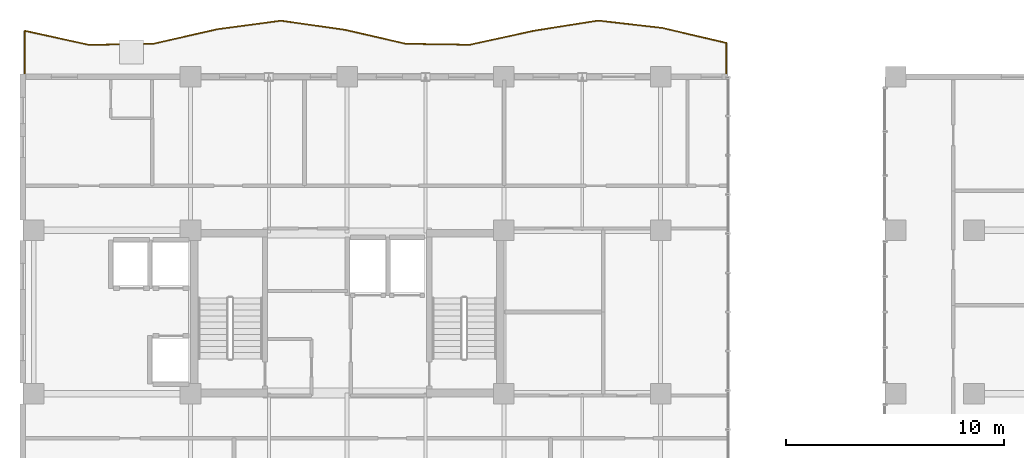
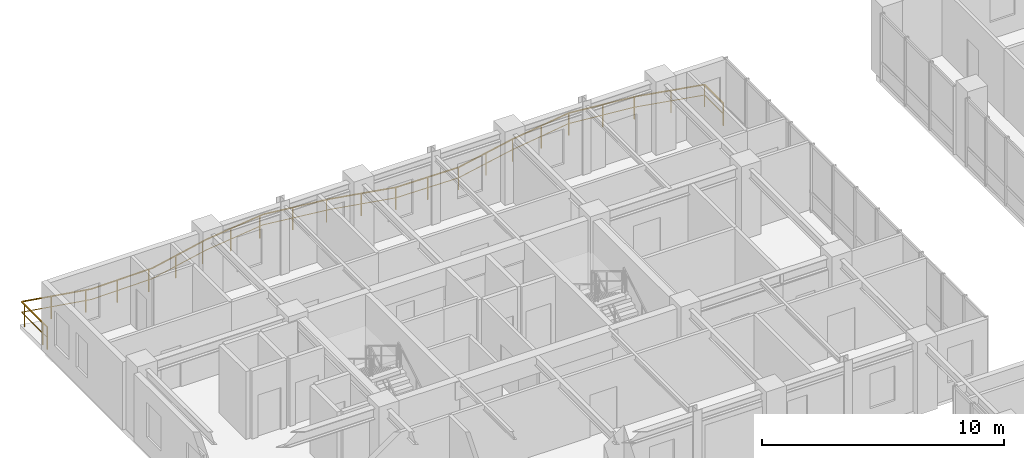
# One storey, part 24 of 24: 1 railing.
"""IFC4 building model written with IfcOpenShell, lengths in metres."""

import ifcopenshell
import ifcopenshell.guid

model = None  # the IFC model being written
_history = None  # IfcOwnerHistory: only IFC2X3 demands one
_inside = {}  # id of a spatial element -> (the spatial element, [elements in it])
_under = {}  # id of a project, library or spatial element -> (it, [spatial elements below it])
_declared = {}  # id of a project -> (the project, [libraries it declares])
_typed = {}  # id of a type object -> (the type object, [elements of that type])
_made_of = {}  # id of a material, layer set ... -> (it, [elements and type objects made of it])


def new_model(schema):
    """Start an empty IFC model of exactly this schema.

    Asked for "IFC4X3", IfcOpenShell would pick the latest addendum, in which some entities
    have other attributes; the version numbers below select the first issue.
    IFC2X3 requires an IfcOwnerHistory on every rooted entity: one is made here for all.
    """
    global model, _history
    if schema == "IFC4X3":
        model = ifcopenshell.file(schema_version=(4, 3, 0, 0))
    else:
        model = ifcopenshell.file(schema=schema)
    _inside.clear()
    _under.clear()
    _declared.clear()
    _typed.clear()
    _made_of.clear()
    _history = None
    if model.schema == "IFC2X3":
        org = make("IfcOrganization", Name="unknown")
        user = make(
            "IfcPersonAndOrganization",
            ThePerson=make("IfcPerson", FamilyName="unknown"),
            TheOrganization=org,
        )
        app = make(
            "IfcApplication",
            ApplicationDeveloper=org,
            Version="unknown",
            ApplicationFullName="unknown",
            ApplicationIdentifier="unknown",
        )
        _history = make(
            "IfcOwnerHistory",
            OwningUser=user,
            OwningApplication=app,
            ChangeAction="ADDED",
            CreationDate=0,
        )
    return model


def make(cls, **values):
    """One entity of the class cls with the attributes given. An attribute that is None is left unset."""
    return model.create_entity(
        cls, **{name: value for name, value in values.items() if value is not None}
    )


def rooted(cls, **values):
    """An entity with a GlobalId (a new one), such as an element, a storey or a relation."""
    return make(cls, GlobalId=ifcopenshell.guid.new(), OwnerHistory=_history, **values)


def si_unit(unit_type, name, prefix=None):
    """IfcSIUnit, for example si_unit("LENGTHUNIT", "METRE", prefix="MILLI")."""
    return make("IfcSIUnit", UnitType=unit_type, Prefix=prefix, Name=name)


def assignment(units):
    """IfcUnitAssignment: the units of a project."""
    return None if units is None else make("IfcUnitAssignment", Units=units)


def point(xyz):
    """IfcCartesianPoint."""
    return None if xyz is None else make("IfcCartesianPoint", Coordinates=xyz)


def direction(xyz):
    """IfcDirection."""
    return None if xyz is None else make("IfcDirection", DirectionRatios=xyz)


def frame(location, z_axis=None, x_axis=None):
    """IfcAxis2Placement3D, a coordinate frame: its origin and axes. An axis left out is left unset."""
    return make(
        "IfcAxis2Placement3D",
        Location=point(location),
        Axis=direction(z_axis),
        RefDirection=direction(x_axis),
    )


def frame_2d(location, x_axis=None):
    """IfcAxis2Placement2D, a coordinate frame in the plane: its origin and x axis."""
    return make(
        "IfcAxis2Placement2D", Location=point(location), RefDirection=direction(x_axis)
    )


def origin():
    """The frame at (0, 0, 0) with its axes left unset."""
    return frame((0.0, 0.0, 0.0))


def origin_2d():
    """The frame at (0, 0) in the plane with its x axis left unset."""
    return frame_2d((0.0, 0.0))


def place(relative_to, where):
    """IfcLocalPlacement: puts the frame where relative to a parent placement (None: the world)."""
    return make(
        "IfcLocalPlacement", PlacementRelTo=relative_to, RelativePlacement=where
    )


def context(
    kind, dimensions, precision=None, world=None, true_north=None, identifier=None
):
    """IfcGeometricRepresentationContext, for example the 3D "Model" context."""
    return make(
        "IfcGeometricRepresentationContext",
        ContextIdentifier=identifier,
        ContextType=kind,
        CoordinateSpaceDimension=dimensions,
        Precision=precision,
        WorldCoordinateSystem=world,
        TrueNorth=true_north,
    )


def subcontext(parent, identifier, kind, view, scale=None):
    """IfcGeometricRepresentationSubContext, for example "Body" below "Model"."""
    return make(
        "IfcGeometricRepresentationSubContext",
        ContextIdentifier=identifier,
        ContextType=kind,
        ParentContext=parent,
        TargetScale=scale,
        TargetView=view,
    )


def project(units=None, contexts=None):
    """IfcProject with its units and contexts."""
    return rooted(
        "IfcProject",
        Name="project",
        RepresentationContexts=contexts,
        UnitsInContext=assignment(units),
    )


def spatial(cls, under=None, at=None, **own):
    """A site, building, storey or space (cls), placed at a placement, below another one or the project."""
    s = rooted(cls, ObjectPlacement=at, **own)
    if under is not None:
        _under.setdefault(under.id(), (under, []))[1].append(s)
    return s


def profile(cls, at=None, kind="AREA", **sizes):
    """A parametric profile (cls). Its sizes go by their IFC names, for example OverallWidth=200.0."""
    return make(cls, ProfileType=kind, Position=at, **sizes)


def rectangle(**sizes):
    """IfcRectangleProfileDef."""
    return profile("IfcRectangleProfileDef", **sizes)


def extrude(swept, where, along, depth):
    """IfcExtrudedAreaSolid: the profile swept, set in the frame where, extruded along a direction by depth."""
    return make(
        "IfcExtrudedAreaSolid",
        SweptArea=swept,
        Position=where,
        ExtrudedDirection=direction(along),
        Depth=depth,
    )


def shape(context_of_items, identifier, shape_type, items):
    """IfcShapeRepresentation: the items that make up one representation, for example the "Body"."""
    return make(
        "IfcShapeRepresentation",
        ContextOfItems=context_of_items,
        RepresentationIdentifier=identifier,
        RepresentationType=shape_type,
        Items=items,
    )


def material(Name=None, Category=None):
    """IfcMaterial."""
    return make("IfcMaterial", Name=Name, Category=Category)


def made_of(thing, what):
    """Note that an element or type object is made of a material, layer set ...; save() writes the relation."""
    if what is not None:
        _made_of.setdefault(what.id(), (what, []))[1].append(thing)
    return thing


def type_object(cls, material=None, **own):
    """A type object (cls), such as IfcWallType, which elements share."""
    return made_of(rooted(cls, **own), material)


def element(
    cls,
    number,
    at=None,
    inside=None,
    cuts=None,
    type_object=None,
    material=None,
    context=None,
    identifier="Body",
    shape_type=None,
    held_by="IfcProductDefinitionShape",
    body=None,
    shapes=None,
    **own,
):
    """One element of the class cls, such as IfcWall. Its Tag is "e" and its number.

    at: its placement. inside: the storey or other place that contains it. cuts: it is an
    opening in that element (IfcRelVoidsElement). A single representation is given by context,
    identifier, shape_type and body (its items); several are given by shapes. held_by: the class
    of the entity that holds the representations. save() writes the other relations.
    """
    e = rooted(cls, Tag="e%d" % number, ObjectPlacement=at, **own)
    if body is not None:
        shapes = [shape(context, identifier, shape_type, body)]
    if shapes is not None:
        e.Representation = make(held_by, Representations=shapes)
    if inside is not None:
        _inside.setdefault(inside.id(), (inside, []))[1].append(e)
    if cuts is not None:
        rooted(
            "IfcRelVoidsElement", RelatingBuildingElement=cuts, RelatedOpeningElement=e
        )
    if type_object is not None:
        _typed.setdefault(type_object.id(), (type_object, []))[1].append(e)
    return made_of(e, material)


def aggregate(whole, parts):
    """IfcRelAggregates: a whole, such as a stair, and the parts it consists of."""
    return rooted("IfcRelAggregates", RelatingObject=whole, RelatedObjects=parts)


def save(model, path):
    """Write the relations noted so far, then the file.

    IfcRelAggregates (storeys below a building ...), IfcRelContainedInSpatialStructure (elements
    in a storey), IfcRelDefinesByType, IfcRelAssociatesMaterial and IfcRelDeclares: one each for
    every whole, place, type object, material and project.
    """
    for whole, parts in _under.values():
        aggregate(whole, parts)
    for where, things in _inside.values():
        rooted(
            "IfcRelContainedInSpatialStructure",
            RelatedElements=things,
            RelatingStructure=where,
        )
    for kind, things in _typed.values():
        rooted("IfcRelDefinesByType", RelatedObjects=things, RelatingType=kind)
    for what, things in _made_of.values():
        rooted("IfcRelAssociatesMaterial", RelatedObjects=things, RelatingMaterial=what)
    for by, libraries in _declared.values():
        rooted("IfcRelDeclares", RelatingContext=by, RelatedDefinitions=libraries)
    model.write(path)


model = new_model("IFC4")

# Units and contexts
model_context = context("Model", 3, precision=1e-05, world=origin(), true_north=direction((0.0, 1.0)))
body_context = subcontext(model_context, "Body", "Model", "MODEL_VIEW")
ifc_project = project(units=[si_unit("LENGTHUNIT", "METRE"), si_unit("AREAUNIT", "SQUARE_METRE"), si_unit("VOLUMEUNIT", "CUBIC_METRE"), si_unit("PLANEANGLEUNIT", "RADIAN"), si_unit("MASSUNIT", "GRAM", prefix="KILO")], contexts=[model_context])

# Site, building, storey
site_placement = place(None, origin())
site = spatial("IfcSite", under=ifc_project, at=site_placement, CompositionType="ELEMENT")
building_placement = place(site_placement, origin())
building = spatial("IfcBuilding", under=site, at=building_placement, Name="Kaliganga Portal Commons", CompositionType="ELEMENT")
storey_placement = place(building_placement, frame((0.0, 0.0, 235.10009765625)))
storey = spatial("IfcBuildingStorey", under=building, at=storey_placement, Name="L60", CompositionType="ELEMENT", Elevation=235.10009765625)

# Railing
ifc_material = material(Name="Laminated Safety Glass and Stainless Steel 316", Category="steel")
railing_type = type_object("IfcRailingType", Name="RLG-BAL-1150", PredefinedType="BALUSTRADE", material=ifc_material)
railing_placement = place(storey_placement, frame((39.0205078125, 43.208251953125, 0.0)))
element("IfcRailing", 1, at=railing_placement, inside=storey, type_object=railing_type, Name="Balcony Guardrail L60 balc_north", PredefinedType="BALUSTRADE", context=body_context, shape_type="SweptSolid", body=[
    extrude(rectangle(XDim=0.048095703125, YDim=0.048095703125, at=origin_2d()), frame((0.0, 0.0, 1.1259765625), z_axis=(-0.000314465393, 0.999999950556, 0.0), x_axis=(-0.999999950556, -0.000314465393, 0.0)), (0.0, 0.0, 1.0), 1.552734375),
    extrude(rectangle(XDim=0.028076171875, YDim=0.028076171875, at=origin_2d()), frame((0.0, 0.0, 0.597900390625), z_axis=(-0.000314465393, 0.999999950556, 0.0), x_axis=(-0.999999950556, -0.000314465393, 0.0)), (0.0, 0.0, 1.0), 1.552734375),
    extrude(rectangle(XDim=0.048095703125, YDim=0.048095703125, at=origin_2d()), frame((-0.00048828125, 1.552734375, 1.1259765625), z_axis=(-0.973589409351, 0.228306070877, 0.0), x_axis=(-0.228306070877, -0.973589409351, 0.0)), (0.0, 0.0, 1.0), 3.025146484375),
    extrude(rectangle(XDim=0.028076171875, YDim=0.028076171875, at=origin_2d()), frame((-0.00048828125, 1.552734375, 0.597900390625), z_axis=(-0.973589409351, 0.228306070877, 0.0), x_axis=(-0.228306070877, -0.973589409351, 0.0)), (0.0, 0.0, 1.0), 3.025146484375),
    extrude(rectangle(XDim=0.048095703125, YDim=0.048095703125, at=origin_2d()), frame((-2.94580078125, 2.243408203125, 1.1259765625), z_axis=(-0.99349306225, 0.113892647968, 0.0), x_axis=(-0.113892647968, -0.99349306225, 0.0)), (0.0, 0.0, 1.0), 2.964599609375),
    extrude(rectangle(XDim=0.028076171875, YDim=0.028076171875, at=origin_2d()), frame((-2.94580078125, 2.243408203125, 0.597900390625), z_axis=(-0.99349306225, 0.113892647968, 0.0), x_axis=(-0.113892647968, -0.99349306225, 0.0)), (0.0, 0.0, 1.0), 2.964599609375),
    extrude(rectangle(XDim=0.048095703125, YDim=0.048095703125, at=origin_2d()), frame((-5.89111328125, 2.5810546875, 1.1259765625), z_axis=(-0.987676533352, -0.156508994842, 0.0), x_axis=(0.156508994842, -0.987676533352, 0.0)), (0.0, 0.0, 1.0), 2.982666015625),
    extrude(rectangle(XDim=0.028076171875, YDim=0.028076171875, at=origin_2d()), frame((-5.89111328125, 2.5810546875, 0.597900390625), z_axis=(-0.987676533352, -0.156508994842, 0.0), x_axis=(0.156508994842, -0.987676533352, 0.0)), (0.0, 0.0, 1.0), 2.982666015625),
    extrude(rectangle(XDim=0.048095703125, YDim=0.048095703125, at=origin_2d()), frame((-8.8369140625, 2.1142578125, 1.1259765625), z_axis=(-0.977001345967, -0.213233135273, 0.0), x_axis=(0.213233135273, -0.977001345967, 0.0)), (0.0, 0.0, 1.0), 3.0146484375),
    extrude(rectangle(XDim=0.028076171875, YDim=0.028076171875, at=origin_2d()), frame((-8.8369140625, 2.1142578125, 0.597900390625), z_axis=(-0.977001345967, -0.213233135273, 0.0), x_axis=(0.213233135273, -0.977001345967, 0.0)), (0.0, 0.0, 1.0), 3.0146484375),
    extrude(rectangle(XDim=0.048095703125, YDim=0.048095703125, at=origin_2d()), frame((-11.7822265625, 1.471435546875, 1.1259765625), z_axis=(-0.999889923732, 0.014837129764, 0.0), x_axis=(-0.014837129764, -0.999889923732, 0.0)), (0.0, 0.0, 1.0), 2.9453125),
    extrude(rectangle(XDim=0.028076171875, YDim=0.028076171875, at=origin_2d()), frame((-11.7822265625, 1.471435546875, 0.597900390625), z_axis=(-0.999889923732, 0.014837129764, 0.0), x_axis=(-0.014837129764, -0.999889923732, 0.0)), (0.0, 0.0, 1.0), 2.9453125),
    extrude(rectangle(XDim=0.048095703125, YDim=0.048095703125, at=origin_2d()), frame((-14.727294921875, 1.51513671875, 1.1259765625), z_axis=(-0.974586285026, 0.224012439475, 0.0), x_axis=(-0.224012439475, -0.974586285026, 0.0)), (0.0, 0.0, 1.0), 2.863037109375),
    extrude(rectangle(XDim=0.028076171875, YDim=0.028076171875, at=origin_2d()), frame((-14.727294921875, 1.51513671875, 0.597900390625), z_axis=(-0.974586285026, 0.224012439475, 0.0), x_axis=(-0.224012439475, -0.974586285026, 0.0)), (0.0, 0.0, 1.0), 2.863037109375),
    extrude(rectangle(XDim=0.048095703125, YDim=0.048095703125, at=origin_2d()), frame((-17.517578125, 2.156494140625, 1.1259765625), z_axis=(-0.990018366691, 0.14093840362, 0.0), x_axis=(-0.14093840362, -0.990018366691, 0.0)), (0.0, 0.0, 1.0), 2.97265625),
    extrude(rectangle(XDim=0.028076171875, YDim=0.028076171875, at=origin_2d()), frame((-17.517578125, 2.156494140625, 0.597900390625), z_axis=(-0.990018366691, 0.14093840362, 0.0), x_axis=(-0.14093840362, -0.990018366691, 0.0)), (0.0, 0.0, 1.0), 2.97265625),
    extrude(rectangle(XDim=0.048095703125, YDim=0.048095703125, at=origin_2d()), frame((-20.46044921875, 2.575439453125, 1.1259765625), z_axis=(-0.991106164828, -0.13307355124, 0.0), x_axis=(0.13307355124, -0.991106164828, 0.0)), (0.0, 0.0, 1.0), 2.97021484375),
    extrude(rectangle(XDim=0.028076171875, YDim=0.028076171875, at=origin_2d()), frame((-20.46044921875, 2.575439453125, 0.597900390625), z_axis=(-0.991106164828, -0.13307355124, 0.0), x_axis=(0.13307355124, -0.991106164828, 0.0)), (0.0, 0.0, 1.0), 2.97021484375),
    extrude(rectangle(XDim=0.048095703125, YDim=0.048095703125, at=origin_2d()), frame((-23.404296875, 2.18017578125, 1.1259765625), z_axis=(-0.975024766993, -0.222096158794, 0.0), x_axis=(0.222096158794, -0.975024766993, 0.0)), (0.0, 0.0, 1.0), 3.020751953125),
    extrude(rectangle(XDim=0.028076171875, YDim=0.028076171875, at=origin_2d()), frame((-23.404296875, 2.18017578125, 0.597900390625), z_axis=(-0.975024766993, -0.222096158794, 0.0), x_axis=(0.222096158794, -0.975024766993, 0.0)), (0.0, 0.0, 1.0), 3.020751953125),
    extrude(rectangle(XDim=0.048095703125, YDim=0.048095703125, at=origin_2d()), frame((-26.349609375, 1.50927734375, 1.1259765625), z_axis=(-0.999897195393, -0.014338711439, 0.0), x_axis=(0.014338711439, -0.999897195393, 0.0)), (0.0, 0.0, 1.0), 2.945556640625),
    extrude(rectangle(XDim=0.028076171875, YDim=0.028076171875, at=origin_2d()), frame((-26.349609375, 1.50927734375, 0.597900390625), z_axis=(-0.999897195393, -0.014338711439, 0.0), x_axis=(0.014338711439, -0.999897195393, 0.0)), (0.0, 0.0, 1.0), 2.945556640625),
    extrude(rectangle(XDim=0.048095703125, YDim=0.048095703125, at=origin_2d()), frame((-29.294921875, 1.467041015625, 1.1259765625), z_axis=(-0.97676832146, 0.214298031239, 0.0), x_axis=(-0.214298031239, -0.97676832146, 0.0)), (0.0, 0.0, 1.0), 3.015625),
    extrude(rectangle(XDim=0.028076171875, YDim=0.028076171875, at=origin_2d()), frame((-29.294921875, 1.467041015625, 0.597900390625), z_axis=(-0.97676832146, 0.214298031239, 0.0), x_axis=(-0.214298031239, -0.97676832146, 0.0)), (0.0, 0.0, 1.0), 3.015625),
    extrude(rectangle(XDim=0.048095703125, YDim=0.048095703125, at=origin_2d()), frame((-32.240478515625, 2.11328125, 1.1259765625), z_axis=(-0.000231053598, -0.999999973307, 0.0), x_axis=(0.999999973307, -0.000231053598, 0.0)), (0.0, 0.0, 1.0), 2.11328125),
    extrude(rectangle(XDim=0.028076171875, YDim=0.028076171875, at=origin_2d()), frame((-32.240478515625, 2.11328125, 0.597900390625), z_axis=(-0.000231053598, -0.999999973307, 0.0), x_axis=(0.999999973307, -0.000231053598, 0.0)), (0.0, 0.0, 1.0), 2.11328125),
    extrude(rectangle(XDim=0.0419921875, YDim=0.0419921875, at=origin_2d()), origin(), (0.0, 0.0, 1.0), 1.101806640625),
    extrude(rectangle(XDim=0.0419921875, YDim=0.0419921875, at=origin_2d()), frame((-0.00048828125, 1.552734375, 0.0)), (0.0, 0.0, 1.0), 1.101806640625),
    extrude(rectangle(XDim=0.0419921875, YDim=0.0419921875, at=origin_2d()), frame((-1.409423828125, 1.883056640625, 0.0)), (0.0, 0.0, 1.0), 1.101806640625),
    extrude(rectangle(XDim=0.0419921875, YDim=0.0419921875, at=origin_2d()), frame((-2.94580078125, 2.243408203125, 0.0)), (0.0, 0.0, 1.0), 1.101806640625),
    extrude(rectangle(XDim=0.0419921875, YDim=0.0419921875, at=origin_2d()), frame((-4.358642578125, 2.4052734375, 0.0)), (0.0, 0.0, 1.0), 1.101806640625),
    extrude(rectangle(XDim=0.0419921875, YDim=0.0419921875, at=origin_2d()), frame((-5.89111328125, 2.5810546875, 0.0)), (0.0, 0.0, 1.0), 1.101806640625),
    extrude(rectangle(XDim=0.0419921875, YDim=0.0419921875, at=origin_2d()), frame((-7.33056640625, 2.35302734375, 0.0)), (0.0, 0.0, 1.0), 1.101806640625),
    extrude(rectangle(XDim=0.0419921875, YDim=0.0419921875, at=origin_2d()), frame((-8.8369140625, 2.1142578125, 0.0)), (0.0, 0.0, 1.0), 1.101806640625),
    extrude(rectangle(XDim=0.0419921875, YDim=0.0419921875, at=origin_2d()), frame((-10.27783203125, 1.7998046875, 0.0)), (0.0, 0.0, 1.0), 1.101806640625),
    extrude(rectangle(XDim=0.0419921875, YDim=0.0419921875, at=origin_2d()), frame((-11.7822265625, 1.471435546875, 0.0)), (0.0, 0.0, 1.0), 1.101806640625),
    extrude(rectangle(XDim=0.0419921875, YDim=0.0419921875, at=origin_2d()), frame((-13.242431640625, 1.4931640625, 0.0)), (0.0, 0.0, 1.0), 1.101806640625),
    extrude(rectangle(XDim=0.0419921875, YDim=0.0419921875, at=origin_2d()), frame((-14.74169921875, 1.5185546875, 0.0)), (0.0, 0.0, 1.0), 1.101806640625),
    extrude(rectangle(XDim=0.0419921875, YDim=0.0419921875, at=origin_2d()), frame((-16.20361328125, 1.8544921875, 0.0)), (0.0, 0.0, 1.0), 1.101806640625),
    extrude(rectangle(XDim=0.0419921875, YDim=0.0419921875, at=origin_2d()), frame((-17.66796875, 2.177978515625, 0.0)), (0.0, 0.0, 1.0), 1.101806640625),
    extrude(rectangle(XDim=0.0419921875, YDim=0.0419921875, at=origin_2d()), frame((-19.15283203125, 2.389404296875, 0.0)), (0.0, 0.0, 1.0), 1.101806640625),
    extrude(rectangle(XDim=0.0419921875, YDim=0.0419921875, at=origin_2d()), frame((-20.63818359375, 2.551513671875, 0.0)), (0.0, 0.0, 1.0), 1.101806640625),
    extrude(rectangle(XDim=0.0419921875, YDim=0.0419921875, at=origin_2d()), frame((-22.124755859375, 2.35205078125, 0.0)), (0.0, 0.0, 1.0), 1.101806640625),
    extrude(rectangle(XDim=0.0419921875, YDim=0.0419921875, at=origin_2d()), frame((-23.608154296875, 2.1337890625, 0.0)), (0.0, 0.0, 1.0), 1.101806640625),
    extrude(rectangle(XDim=0.0419921875, YDim=0.0419921875, at=origin_2d()), frame((-25.070556640625, 1.800537109375, 0.0)), (0.0, 0.0, 1.0), 1.101806640625),
    extrude(rectangle(XDim=0.0419921875, YDim=0.0419921875, at=origin_2d()), frame((-26.537841796875, 1.506591796875, 0.0)), (0.0, 0.0, 1.0), 1.101806640625),
    extrude(rectangle(XDim=0.0419921875, YDim=0.0419921875, at=origin_2d()), frame((-28.03759765625, 1.485107421875, 0.0)), (0.0, 0.0, 1.0), 1.101806640625),
    extrude(rectangle(XDim=0.0419921875, YDim=0.0419921875, at=origin_2d()), frame((-29.531982421875, 1.51904296875, 0.0)), (0.0, 0.0, 1.0), 1.101806640625),
    extrude(rectangle(XDim=0.0419921875, YDim=0.0419921875, at=origin_2d()), frame((-30.9970703125, 1.840576171875, 0.0)), (0.0, 0.0, 1.0), 1.101806640625),
    extrude(rectangle(XDim=0.0419921875, YDim=0.0419921875, at=origin_2d()), frame((-32.240478515625, 1.88623046875, 0.0)), (0.0, 0.0, 1.0), 1.101806640625),
    extrude(rectangle(XDim=0.0419921875, YDim=0.0419921875, at=origin_2d()), frame((-32.240966796875, 0.38623046875, 0.0)), (0.0, 0.0, 1.0), 1.101806640625),
    extrude(rectangle(XDim=0.0419921875, YDim=0.0419921875, at=origin_2d()), frame((-32.240966796875, 0.0, 0.0)), (0.0, 0.0, 1.0), 1.101806640625),
])

save(model, "model.ifc")
